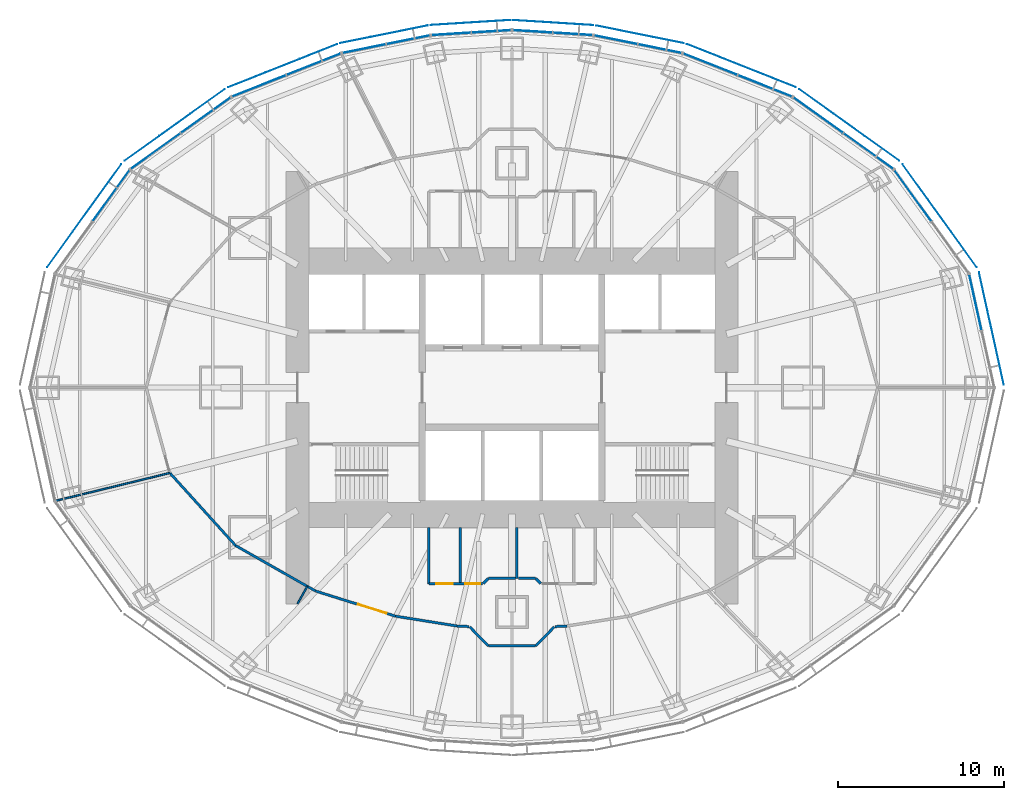
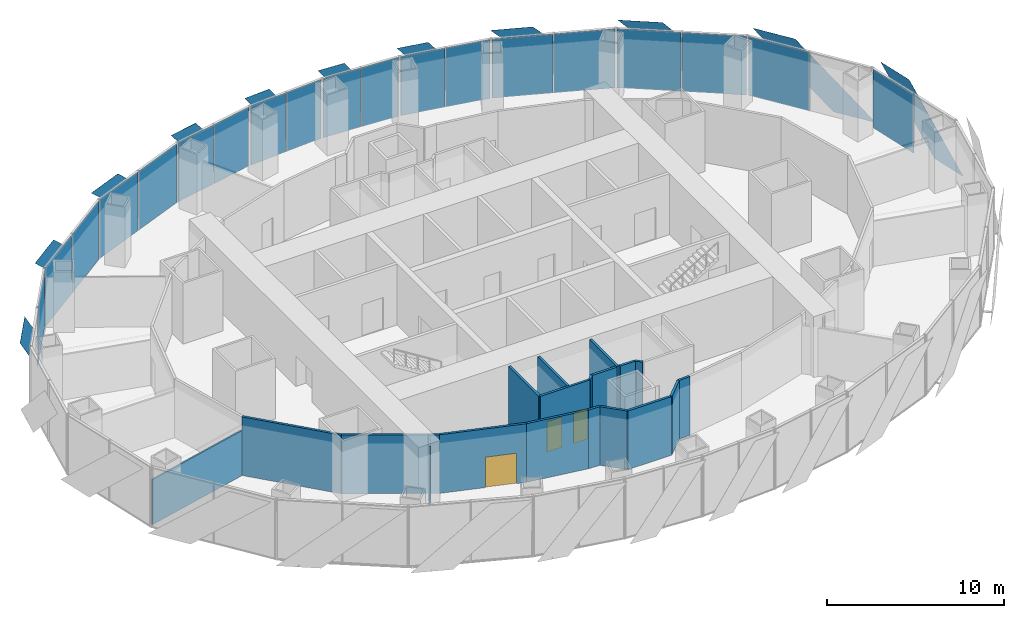
# One storey, part 10 of 17: 30 plates, 19 walls, 3 doors, 3 openings, 11 elements without a shape of their own.
"""IFC4 building model written with IfcOpenShell, lengths in metres."""

from ifc_helpers import new_model, si_unit, direction, frame, frame_2d, origin, origin_2d, place, context, subcontext, project, spatial, polyline, rectangle, outline, extrude, material, layer, layer_set, type_object, element, fill, aggregate, save


model = new_model("IFC4")

# Units and contexts
model_context = context("Model", 3, precision=1e-05, world=origin(), true_north=direction((0.0, 1.0)))
body_context = subcontext(model_context, "Body", "Model", "MODEL_VIEW")
ifc_project = project(units=[si_unit("LENGTHUNIT", "METRE"), si_unit("AREAUNIT", "SQUARE_METRE"), si_unit("VOLUMEUNIT", "CUBIC_METRE"), si_unit("PLANEANGLEUNIT", "RADIAN"), si_unit("MASSUNIT", "GRAM", prefix="KILO")], contexts=[model_context])

# Site, building, storey
site_placement = place(None, origin())
site = spatial("IfcSite", under=ifc_project, at=site_placement, CompositionType="ELEMENT")
building_placement = place(site_placement, origin())
building = spatial("IfcBuilding", under=site, at=building_placement, Name="Lantaw Convention Tower", CompositionType="ELEMENT")
storey_placement = place(building_placement, frame((0.0, 0.0, 125.800048828125)))
storey = spatial("IfcBuildingStorey", under=building, at=storey_placement, Name="L29", CompositionType="ELEMENT", Elevation=125.800048828125)

# Curtain wall, plate
ifc_material_1 = material(Name="Aluminium framed curtain wall", Category="aluminium")
curtain_wall_type = type_object("IfcCurtainWallType", Name="Office curtain wall low rise, pale aluminium", PredefinedType="USERDEFINED", material=ifc_material_1)
curtain_wall_1_placement = place(storey_placement, origin())
curtain_wall_1 = element("IfcCurtainWall", 1, at=curtain_wall_1_placement, inside=storey, type_object=curtain_wall_type, Name="Office curtain wall low rise, pale aluminium L29", ObjectType="UNITISED CURTAIN WALL", PredefinedType="USERDEFINED")
ifc_material_2 = material(Name="Clear insulating glass", Category="glass")
ifc_layer_1 = layer(ifc_material_2, 0.028076171875)
ifc_layer_set_1 = layer_set([ifc_layer_1], Name="CW-O1 panel 28")
plate_type_1 = type_object("IfcPlateType", Name="CW-O1 panel 28", PredefinedType="CURTAIN_PANEL", material=ifc_layer_set_1)
plate_1_placement = place(storey_placement, frame((27.868896484375, 5.1240234375, -0.0849609375), z_axis=(0.0, 0.0, 1.0), x_axis=(-0.215546166174, 0.9764936509, 0.0)))
plate_1 = element("IfcPlate", 2, at=plate_1_placement, type_object=plate_type_1, Name="CW-O1 panel 2.1", PredefinedType="CURTAIN_PANEL", context=body_context, shape_type="SweptSolid", body=[
    extrude(rectangle(XDim=3.41162109375, YDim=0.028076171875, at=origin_2d()), origin(), (0.0, 0.0, 1.0), 4.070068359375),
])
aggregate(curtain_wall_1, [plate_1])

curtain_wall_2_placement = place(storey_placement, origin())
curtain_wall_2 = element("IfcCurtainWall", 3, at=curtain_wall_2_placement, inside=storey, type_object=curtain_wall_type, Name="Office curtain wall low rise, pale aluminium L29", ObjectType="UNITISED CURTAIN WALL", PredefinedType="USERDEFINED")
plate_2_placement = place(storey_placement, frame((24.108154296875, 11.5439453125, -0.0849609375), z_axis=(0.0, 0.0, 1.0), x_axis=(-0.584512597221, 0.811384633629, 0.0)))
plate_2 = element("IfcPlate", 4, at=plate_2_placement, type_object=plate_type_1, Name="CW-O1 panel 2.1", PredefinedType="CURTAIN_PANEL", context=body_context, shape_type="SweptSolid", body=[
    extrude(rectangle(XDim=3.767333984375, YDim=0.028076171875, at=origin_2d()), origin(), (0.0, 0.0, 1.0), 4.070068359375),
])
aggregate(curtain_wall_2, [plate_2])

# Curtain wall, plates
curtain_wall_3_placement = place(storey_placement, origin())
curtain_wall_3 = element("IfcCurtainWall", 5, at=curtain_wall_3_placement, inside=storey, type_object=curtain_wall_type, Name="Office curtain wall low rise, pale aluminium L29", ObjectType="UNITISED CURTAIN WALL", PredefinedType="USERDEFINED")
plate_3_placement = place(storey_placement, frame((21.43408203125, 14.2236328125, -0.0849609375), z_axis=(0.0, 0.0, 1.0), x_axis=(-0.813208325995, 0.581972695693, 0.0)))
plate_3 = element("IfcPlate", 6, at=plate_3_placement, type_object=plate_type_1, Name="CW-O1 panel 1.1", PredefinedType="CURTAIN_PANEL", context=body_context, shape_type="SweptSolid", body=[
    extrude(rectangle(XDim=3.645263671875, YDim=0.028076171875, at=origin_2d()), origin(), (0.0, 0.0, 1.0), 4.070068359375),
])
plate_4_placement = place(storey_placement, frame((18.416748046875, 16.383056640625, -0.0849609375), z_axis=(0.0, 0.0, 1.0), x_axis=(-0.813208325995, 0.581972695693, 0.0)))
plate_4 = element("IfcPlate", 7, at=plate_4_placement, type_object=plate_type_1, Name="CW-O1 panel 2.1", PredefinedType="CURTAIN_PANEL", context=body_context, shape_type="SweptSolid", body=[
    extrude(rectangle(XDim=3.645263671875, YDim=0.028076171875, at=origin_2d()), origin(), (0.0, 0.0, 1.0), 4.070068359375),
])
aggregate(curtain_wall_3, [plate_3, plate_4])

curtain_wall_4_placement = place(storey_placement, origin())
curtain_wall_4 = element("IfcCurtainWall", 8, at=curtain_wall_4_placement, inside=storey, type_object=curtain_wall_type, Name="Office curtain wall low rise, pale aluminium L29", ObjectType="UNITISED CURTAIN WALL", PredefinedType="USERDEFINED")
plate_5_placement = place(storey_placement, frame((15.208251953125, 18.145263671875, -0.0849609375), z_axis=(0.0, 0.0, 1.0), x_axis=(-0.929547687544, 0.368701907483, 0.0)))
plate_5 = element("IfcPlate", 9, at=plate_5_placement, type_object=plate_type_1, Name="CW-O1 panel 1.1", PredefinedType="CURTAIN_PANEL", context=body_context, shape_type="SweptSolid", body=[
    extrude(rectangle(XDim=3.470703125, YDim=0.028076171875, at=origin_2d()), origin(), (0.0, 0.0, 1.0), 4.070068359375),
])
plate_6_placement = place(storey_placement, frame((11.921630859375, 19.448974609375, -0.0849609375), z_axis=(0.0, 0.0, 1.0), x_axis=(-0.929547687544, 0.368701907483, 0.0)))
plate_6 = element("IfcPlate", 10, at=plate_6_placement, type_object=plate_type_1, Name="CW-O1 panel 2.1", PredefinedType="CURTAIN_PANEL", context=body_context, shape_type="SweptSolid", body=[
    extrude(rectangle(XDim=3.470703125, YDim=0.028076171875, at=origin_2d()), origin(), (0.0, 0.0, 1.0), 4.070068359375),
])
aggregate(curtain_wall_4, [plate_5, plate_6])

curtain_wall_5_placement = place(storey_placement, origin())
curtain_wall_5 = element("IfcCurtainWall", 11, at=curtain_wall_5_placement, inside=storey, type_object=curtain_wall_type, Name="Office curtain wall low rise, pale aluminium L29", ObjectType="UNITISED CURTAIN WALL", PredefinedType="USERDEFINED")
plate_7_placement = place(storey_placement, frame((8.893310546875, 20.3857421875, -0.0849609375), z_axis=(0.0, 0.0, 1.0), x_axis=(-0.980301514912, 0.197506809659, 0.0)))
plate_7 = element("IfcPlate", 12, at=plate_7_placement, type_object=plate_type_1, Name="CW-O1 panel 1.1", PredefinedType="CURTAIN_PANEL", context=body_context, shape_type="SweptSolid", body=[
    extrude(rectangle(XDim=2.634033203125, YDim=0.028076171875, at=origin_2d()), origin(), (0.0, 0.0, 1.0), 4.070068359375),
])
plate_8_placement = place(storey_placement, frame((6.247314453125, 20.9189453125, -0.0849609375), z_axis=(0.0, 0.0, 1.0), x_axis=(-0.980301514912, 0.197506809659, 0.0)))
plate_8 = element("IfcPlate", 13, at=plate_8_placement, type_object=plate_type_1, Name="CW-O1 panel 2.1", PredefinedType="CURTAIN_PANEL", context=body_context, shape_type="SweptSolid", body=[
    extrude(rectangle(XDim=2.634033203125, YDim=0.028076171875, at=origin_2d()), origin(), (0.0, 0.0, 1.0), 4.070068359375),
])
aggregate(curtain_wall_5, [plate_7, plate_8])

curtain_wall_6_placement = place(storey_placement, origin())
curtain_wall_6 = element("IfcCurtainWall", 14, at=curtain_wall_6_placement, inside=storey, type_object=curtain_wall_type, Name="Office curtain wall low rise, pale aluminium L29", ObjectType="UNITISED CURTAIN WALL", PredefinedType="USERDEFINED")
plate_9_placement = place(storey_placement, frame((3.653076171875, 21.269775390625, -0.0849609375), z_axis=(0.0, 0.0, 1.0), x_axis=(-0.998022035978, 0.062865059466, 0.0)))
plate_9 = element("IfcPlate", 15, at=plate_9_placement, type_object=plate_type_1, Name="CW-O1 panel 1.1", PredefinedType="CURTAIN_PANEL", context=body_context, shape_type="SweptSolid", body=[
    extrude(rectangle(XDim=2.353515625, YDim=0.028076171875, at=origin_2d()), origin(), (0.0, 0.0, 1.0), 4.070068359375),
])
plate_10_placement = place(storey_placement, frame((1.2392578125, 21.421875, -0.0849609375), z_axis=(0.0, 0.0, 1.0), x_axis=(-0.998022035978, 0.062865059466, 0.0)))
plate_10 = element("IfcPlate", 16, at=plate_10_placement, type_object=plate_type_1, Name="CW-O1 panel 2.1", PredefinedType="CURTAIN_PANEL", context=body_context, shape_type="SweptSolid", body=[
    extrude(rectangle(XDim=2.353515625, YDim=0.028076171875, at=origin_2d()), origin(), (0.0, 0.0, 1.0), 4.070068359375),
])
aggregate(curtain_wall_6, [plate_9, plate_10])

curtain_wall_7_placement = place(storey_placement, origin())
curtain_wall_7 = element("IfcCurtainWall", 17, at=curtain_wall_7_placement, inside=storey, type_object=curtain_wall_type, Name="Office curtain wall low rise, pale aluminium L29", ObjectType="UNITISED CURTAIN WALL", PredefinedType="USERDEFINED")
plate_11_placement = place(storey_placement, frame((-1.2392578125, 21.421875, -0.0849609375), z_axis=(0.0, 0.0, 1.0), x_axis=(-0.998022035978, -0.062865059466, 0.0)))
plate_11 = element("IfcPlate", 18, at=plate_11_placement, type_object=plate_type_1, Name="CW-O1 panel 1.1", PredefinedType="CURTAIN_PANEL", context=body_context, shape_type="SweptSolid", body=[
    extrude(rectangle(XDim=2.353515625, YDim=0.028076171875, at=origin_2d()), origin(), (0.0, 0.0, 1.0), 4.070068359375),
])
plate_12_placement = place(storey_placement, frame((-3.653076171875, 21.269775390625, -0.0849609375), z_axis=(0.0, 0.0, 1.0), x_axis=(-0.998022035978, -0.062865059466, 0.0)))
plate_12 = element("IfcPlate", 19, at=plate_12_placement, type_object=plate_type_1, Name="CW-O1 panel 2.1", PredefinedType="CURTAIN_PANEL", context=body_context, shape_type="SweptSolid", body=[
    extrude(rectangle(XDim=2.353515625, YDim=0.028076171875, at=origin_2d()), origin(), (0.0, 0.0, 1.0), 4.070068359375),
])
aggregate(curtain_wall_7, [plate_11, plate_12])

curtain_wall_8_placement = place(storey_placement, origin())
curtain_wall_8 = element("IfcCurtainWall", 20, at=curtain_wall_8_placement, inside=storey, type_object=curtain_wall_type, Name="Office curtain wall low rise, pale aluminium L29", ObjectType="UNITISED CURTAIN WALL", PredefinedType="USERDEFINED")
plate_13_placement = place(storey_placement, frame((-6.247314453125, 20.9189453125, -0.0849609375), z_axis=(0.0, 0.0, 1.0), x_axis=(-0.980301514912, -0.197506809659, 0.0)))
plate_13 = element("IfcPlate", 21, at=plate_13_placement, type_object=plate_type_1, Name="CW-O1 panel 1.1", PredefinedType="CURTAIN_PANEL", context=body_context, shape_type="SweptSolid", body=[
    extrude(rectangle(XDim=2.634033203125, YDim=0.028076171875, at=origin_2d()), origin(), (0.0, 0.0, 1.0), 4.070068359375),
])
plate_14_placement = place(storey_placement, frame((-8.893310546875, 20.3857421875, -0.0849609375), z_axis=(0.0, 0.0, 1.0), x_axis=(-0.980301514912, -0.197506809659, 0.0)))
plate_14 = element("IfcPlate", 22, at=plate_14_placement, type_object=plate_type_1, Name="CW-O1 panel 2.1", PredefinedType="CURTAIN_PANEL", context=body_context, shape_type="SweptSolid", body=[
    extrude(rectangle(XDim=2.634033203125, YDim=0.028076171875, at=origin_2d()), origin(), (0.0, 0.0, 1.0), 4.070068359375),
])
aggregate(curtain_wall_8, [plate_13, plate_14])

curtain_wall_9_placement = place(storey_placement, origin())
curtain_wall_9 = element("IfcCurtainWall", 23, at=curtain_wall_9_placement, inside=storey, type_object=curtain_wall_type, Name="Office curtain wall low rise, pale aluminium L29", ObjectType="UNITISED CURTAIN WALL", PredefinedType="USERDEFINED")
plate_15_placement = place(storey_placement, frame((-11.921630859375, 19.448974609375, -0.0849609375), z_axis=(0.0, 0.0, 1.0), x_axis=(-0.929547687544, -0.368701907483, 0.0)))
plate_15 = element("IfcPlate", 24, at=plate_15_placement, type_object=plate_type_1, Name="CW-O1 panel 1.1", PredefinedType="CURTAIN_PANEL", context=body_context, shape_type="SweptSolid", body=[
    extrude(rectangle(XDim=3.470703125, YDim=0.028076171875, at=origin_2d()), origin(), (0.0, 0.0, 1.0), 4.070068359375),
])
plate_16_placement = place(storey_placement, frame((-15.208251953125, 18.145263671875, -0.0849609375), z_axis=(0.0, 0.0, 1.0), x_axis=(-0.929547687544, -0.368701907483, 0.0)))
plate_16 = element("IfcPlate", 25, at=plate_16_placement, type_object=plate_type_1, Name="CW-O1 panel 2.1", PredefinedType="CURTAIN_PANEL", context=body_context, shape_type="SweptSolid", body=[
    extrude(rectangle(XDim=3.470703125, YDim=0.028076171875, at=origin_2d()), origin(), (0.0, 0.0, 1.0), 4.070068359375),
])
aggregate(curtain_wall_9, [plate_15, plate_16])

curtain_wall_10_placement = place(storey_placement, origin())
curtain_wall_10 = element("IfcCurtainWall", 26, at=curtain_wall_10_placement, inside=storey, type_object=curtain_wall_type, Name="Office curtain wall low rise, pale aluminium L29", ObjectType="UNITISED CURTAIN WALL", PredefinedType="USERDEFINED")
plate_17_placement = place(storey_placement, frame((-18.416748046875, 16.383056640625, -0.0849609375), z_axis=(0.0, 0.0, 1.0), x_axis=(-0.813208325995, -0.581972695693, 0.0)))
plate_17 = element("IfcPlate", 27, at=plate_17_placement, type_object=plate_type_1, Name="CW-O1 panel 1.1", PredefinedType="CURTAIN_PANEL", context=body_context, shape_type="SweptSolid", body=[
    extrude(rectangle(XDim=3.645263671875, YDim=0.028076171875, at=origin_2d()), origin(), (0.0, 0.0, 1.0), 4.070068359375),
])
plate_18_placement = place(storey_placement, frame((-21.43408203125, 14.2236328125, -0.0849609375), z_axis=(0.0, 0.0, 1.0), x_axis=(-0.813208325995, -0.581972695693, 0.0)))
plate_18 = element("IfcPlate", 28, at=plate_18_placement, type_object=plate_type_1, Name="CW-O1 panel 2.1", PredefinedType="CURTAIN_PANEL", context=body_context, shape_type="SweptSolid", body=[
    extrude(rectangle(XDim=3.645263671875, YDim=0.028076171875, at=origin_2d()), origin(), (0.0, 0.0, 1.0), 4.070068359375),
])
aggregate(curtain_wall_10, [plate_17, plate_18])

# Curtain wall, plate
curtain_wall_11_placement = place(storey_placement, origin())
curtain_wall_11 = element("IfcCurtainWall", 29, at=curtain_wall_11_placement, inside=storey, type_object=curtain_wall_type, Name="Office curtain wall low rise, pale aluminium L29", ObjectType="UNITISED CURTAIN WALL", PredefinedType="USERDEFINED")
plate_19_placement = place(storey_placement, frame((-24.108154296875, 11.5439453125, -0.0849609375), z_axis=(0.0, 0.0, 1.0), x_axis=(-0.584512597221, -0.811384633629, 0.0)))
plate_19 = element("IfcPlate", 30, at=plate_19_placement, type_object=plate_type_1, Name="CW-O1 panel 1.1", PredefinedType="CURTAIN_PANEL", context=body_context, shape_type="SweptSolid", body=[
    extrude(rectangle(XDim=3.767333984375, YDim=0.028076171875, at=origin_2d()), origin(), (0.0, 0.0, 1.0), 4.070068359375),
])
aggregate(curtain_wall_11, [plate_19])

# Plates
ifc_material_3 = material(Name="Perforated aluminium sheet, pale silver finish", Category="aluminium")
ifc_layer_2 = layer(ifc_material_3, 0.006103515625)
ifc_layer_set_2 = layer_set([ifc_layer_2], Name="Perforated aluminium solar SCREEN panel")
plate_type_2 = type_object("IfcPlateType", Name="Perforated aluminium solar SCREEN panel", PredefinedType="SHEET", material=ifc_layer_set_2)
plate_20_placement = place(storey_placement, frame((29.5810546875, 0.179443359375, -0.175048828125), z_axis=(0.976497812463, 0.215527309509, 3.332717e-05), x_axis=(-0.215527309629, 0.976497813005, 1.665e-09)))
element("IfcPlate", 31, at=plate_20_placement, inside=storey, type_object=plate_type_2, Name="Solar SCREEN panel", PredefinedType="SHEET", context=body_context, shape_type="SweptSolid", body=[
    extrude(outline(polyline([(0.0, 0.0), (2.3861843673609986, 3.3881317890172014e-21), (6.918240190546627, 4.340087881517419), (4.532108442157707, 4.340087889462621), (0.0, 0.0)])), origin(), (0.0, 0.0, -1.0), 0.006103515625),
])
plate_21_placement = place(storey_placement, frame((27.94970703125, 7.248046875, -0.175048828125), z_axis=(0.81139512159, 0.584498037099, 3.5886784e-05), x_axis=(-0.584498037475, 0.811395122112, -9.74e-10)))
element("IfcPlate", 32, at=plate_21_placement, inside=storey, type_object=plate_type_2, Name="Solar SCREEN panel", PredefinedType="SHEET", context=body_context, shape_type="SweptSolid", body=[
    extrude(outline(polyline([(0.0, 0.0), (2.628222178575422, -6.776263578034403e-21), (7.629778257969264, 4.340087900852944), (5.001754173906077, 4.340087895732103), (0.0, 0.0)])), origin(), (0.0, 0.0, -1.0), 0.006103515625),
])
plate_22_placement = place(storey_placement, frame((23.281005859375, 13.64697265625, -0.175048828125), z_axis=(0.582000183937, 0.813188653244, 1.1537145e-05), x_axis=(-0.813188653298, 0.582000183975, 0.0)))
element("IfcPlate", 33, at=plate_22_placement, inside=storey, type_object=plate_type_2, Name="Solar SCREEN panel", PredefinedType="SHEET", context=body_context, shape_type="SweptSolid", body=[
    extrude(outline(polyline([(0.0, 0.0), (2.5450183911586484, 0.0), (7.385531276904658, 4.340087890913846), (4.840512885746009, 4.340087890913846), (0.0, 0.0)])), origin(), (0.0, 0.0, -1.0), 0.006103515625),
])
plate_23_placement = place(storey_placement, frame((17.05859375, 18.063232421875, -0.175048828125), z_axis=(-0.368708915367, -0.929544907797, 1.086705e-05), x_axis=(-0.929544907851, 0.368708915389, 7.1e-10)))
element("IfcPlate", 34, at=plate_23_placement, inside=storey, type_object=plate_type_2, Name="Solar SCREEN panel", PredefinedType="SHEET", context=body_context, shape_type="SweptSolid", body=[
    extrude(outline(polyline([(0.0, 0.0), (2.4263803793049097, -1.6940658945086007e-21), (7.036549629566982, -4.340087885886879), (4.61003232741235, -4.340087889331358), (0.0, 0.0)])), origin(), (0.0, 0.0, -1.0), 0.006103515625),
])
plate_24_placement = place(storey_placement, frame((10.318603515625, 20.716796875, -0.175048828125), z_axis=(0.197556725442, 0.980291455983, 3.9483498e-05), x_axis=(-0.980291456747, 0.197556725596, 0.0)))
element("IfcPlate", 35, at=plate_24_placement, inside=storey, type_object=plate_type_2, Name="Solar SCREEN panel", PredefinedType="SHEET", context=body_context, shape_type="SweptSolid", body=[
    extrude(outline(polyline([(0.0, 0.0), (1.8574075788555457, 3.3881317890172014e-21), (5.362987026845185, 4.340087894007983), (3.505579447989639, 4.340087894007983), (0.0, 0.0)])), origin(), (0.0, 0.0, -1.0), 0.006103515625),
])
plate_25_placement = place(storey_placement, frame((4.880615234375, 21.7998046875, -0.175048828125), z_axis=(0.062838799866, 0.998023689713, 1.755059e-06), x_axis=(-0.998023689715, 0.062838799866, -8e-12)))
element("IfcPlate", 36, at=plate_25_placement, inside=storey, type_object=plate_type_2, Name="Solar SCREEN panel", PredefinedType="SHEET", context=body_context, shape_type="SweptSolid", body=[
    extrude(outline(polyline([(0.0, 0.0), (1.6666243269452135, 2.6469779601696886e-23), (4.802214797186689, 4.340087890670476), (3.135346812114104, 4.340087890643548), (0.0, 0.0)])), origin(), (0.0, 0.0, -1.0), 0.006103515625),
])
plate_26_placement = place(storey_placement, frame((-0.087890625, 22.1015625, -0.175048828125), z_axis=(0.062838799866, -0.998023689713, 1.755059e-06), x_axis=(-0.998023689715, -0.062838799866, 8e-12)))
element("IfcPlate", 37, at=plate_26_placement, inside=storey, type_object=plate_type_2, Name="Solar SCREEN panel", PredefinedType="SHEET", context=body_context, shape_type="SweptSolid", body=[
    extrude(outline(polyline([(0.0, 0.0), (1.6668679850725854, -5.293955920339377e-23), (4.802214797256801, -4.340087890592899), (3.1355904703115876, -4.340087890619822), (0.0, 0.0)])), origin(), (0.0, 0.0, -1.0), 0.006103515625),
])
plate_27_placement = place(storey_placement, frame((-5.061279296875, 21.776123046875, -0.175048828125), z_axis=(0.197556725442, -0.980291455983, 3.9483498e-05), x_axis=(-0.980291456747, -0.197556725596, 0.0)))
element("IfcPlate", 38, at=plate_27_placement, inside=storey, type_object=plate_type_2, Name="Solar SCREEN panel", PredefinedType="SHEET", context=body_context, shape_type="SweptSolid", body=[
    extrude(outline(polyline([(0.0, 0.0), (1.8574075788555457, -3.3881317890172014e-21), (5.362987026845185, -4.340087894007983), (3.505579447989639, -4.340087894007983), (0.0, 0.0)])), origin(), (0.0, 0.0, -1.0), 0.006103515625),
])
plate_28_placement = place(storey_placement, frame((-10.517822265625, 20.65771484375, -0.175048828125), z_axis=(-0.368708915367, 0.929544907797, 1.086705e-05), x_axis=(-0.929544907851, -0.368708915389, -7.1e-10)))
element("IfcPlate", 39, at=plate_28_placement, inside=storey, type_object=plate_type_2, Name="Solar SCREEN panel", PredefinedType="SHEET", context=body_context, shape_type="SweptSolid", body=[
    extrude(outline(polyline([(0.0, 0.0), (2.426517302154632, -1.6940658945086007e-21), (7.036549623406159, 4.340087895875372), (4.610169244101249, 4.340087892431086), (0.0, 0.0)])), origin(), (0.0, 0.0, -1.0), 0.006103515625),
])
plate_29_placement = place(storey_placement, frame((-17.275146484375, 17.9453125, -0.175048828125), z_axis=(0.582000183937, -0.813188653244, 1.1537145e-05), x_axis=(-0.813188653298, -0.582000183975, 0.0)))
element("IfcPlate", 40, at=plate_29_placement, inside=storey, type_object=plate_type_2, Name="Solar SCREEN panel", PredefinedType="SHEET", context=body_context, shape_type="SweptSolid", body=[
    extrude(outline(polyline([(0.0, 0.0), (2.5450183911586484, 0.0), (7.385531276904658, -4.340087890913846), (4.840512885746009, -4.340087890913846), (0.0, 0.0)])), origin(), (0.0, 0.0, -1.0), 0.006103515625),
])
plate_30_placement = place(storey_placement, frame((-23.489990234375, 13.438720703125, -0.175048828125), z_axis=(0.81139512159, -0.584498037099, 3.5886784e-05), x_axis=(-0.584498037475, -0.811395122112, 9.74e-10)))
element("IfcPlate", 41, at=plate_30_placement, inside=storey, type_object=plate_type_2, Name="Solar SCREEN panel", PredefinedType="SHEET", context=body_context, shape_type="SweptSolid", body=[
    extrude(outline(polyline([(0.0, 0.0), (2.6280240840631874, -6.776263578034403e-21), (7.6297782664261495, -4.340087885985926), (5.0015560878507275, -4.340087891107152), (0.0, 0.0)])), origin(), (0.0, 0.0, -1.0), 0.006103515625),
])

# Walls
ifc_material_4 = material(Name="Gypsum board on steel studs, fire rated", Category="steel")
ifc_layer_3 = layer(ifc_material_4, 0.14990234375)
ifc_layer_set_3 = layer_set([ifc_layer_3], Name="Corridor wall 150 EI 60")
wall_type_1 = type_object("IfcWallType", Name="Corridor wall 150 EI 60", PredefinedType="PARTITIONING", material=ifc_layer_set_3)
wall_1_placement = place(storey_placement, frame((-20.576904296875, -5.13037109375, 0.0), z_axis=(0.0, 0.0, 1.0), x_axis=(0.671118353743, -0.741350224435, 0.0)))
element("IfcWall", 42, at=wall_1_placement, inside=storey, type_object=wall_type_1, Name="Corridor wall 150", PredefinedType="PARTITIONING", context=body_context, shape_type="SweptSolid", body=[
    extrude(rectangle(XDim=5.89208984375, YDim=0.14990234375, at=frame_2d((2.946044921875, 0.0))), origin(), (0.0, 0.0, 1.0), 4.050048828125),
])
wall_2_placement = place(storey_placement, frame((-16.62255859375, -9.49853515625, 0.0), z_axis=(0.0, 0.0, 1.0), x_axis=(0.869375991036, -0.494151177485, 0.0)))
element("IfcWall", 43, at=wall_2_placement, inside=storey, type_object=wall_type_1, Name="Corridor wall 150", PredefinedType="PARTITIONING", context=body_context, shape_type="SweptSolid", body=[
    extrude(rectangle(XDim=5.532470703125, YDim=0.14990234375, at=frame_2d((2.76611328125, 0.0))), origin(), (0.0, 0.0, 1.0), 4.050048828125),
])

# Wall, opening, door
wall_3_placement = place(storey_placement, frame((-11.812744140625, -12.232421875, 0.0), z_axis=(0.0, 0.0, 1.0), x_axis=(0.953893934057, -0.300143903101, 0.0)))
wall_3 = element("IfcWall", 44, at=wall_3_placement, inside=storey, type_object=wall_type_1, Name="Corridor wall 150", PredefinedType="PARTITIONING", context=body_context, shape_type="SweptSolid", body=[
    extrude(rectangle(XDim=5.04150390625, YDim=0.14990234375, at=frame_2d((2.520751953125, 0.0))), origin(), (0.0, 0.0, 1.0), 4.050048828125),
])
opening_1_placement = place(wall_3_placement, frame((2.671142578125, 0.0, 0.0)))
opening_1 = element("IfcOpeningElement", 45, at=opening_1_placement, cuts=wall_3, Name="Opening L29.27", PredefinedType="OPENING", context=body_context, shape_type="SweptSolid", body=[
    extrude(rectangle(XDim=1.800048828125, YDim=2.10009765625, at=frame_2d((0.89990234375, 1.050048828125))), frame((0.0, 0.0849609375, 0.0), z_axis=(0.0, -1.0, 0.0), x_axis=(1.0, 0.0, 0.0)), (0.0, 0.0, 1.0), 0.169921875),
])
ifc_material_5 = material(Name="Steel, fire rated", Category="steel")
door_type_1 = type_object("IfcDoorType", Name="Office double door 1800 FD30", OperationType="DOUBLE_DOOR_DOUBLE_SWING", PredefinedType="DOOR", material=ifc_material_5)
door_1_placement = place(opening_1_placement, origin())
door_1 = element("IfcDoor", 46, at=door_1_placement, inside=storey, type_object=door_type_1, Name="Contact-centre floor door", OperationType="DOUBLE_DOOR_DOUBLE_SWING", OverallHeight=2.10009765625, OverallWidth=1.800048828125, PredefinedType="DOOR", context=body_context, shape_type="SweptSolid", body=[
    extrude(rectangle(XDim=1.800048828125, YDim=2.10009765625, at=frame_2d((0.89990234375, 1.050048828125))), frame((0.0, 0.02490234375, 0.0), z_axis=(0.0, -1.0, 0.0), x_axis=(1.0, 0.0, 0.0)), (0.0, 0.0, 1.0), 0.050048828125),
])
fill(opening_1, door_1)

# Walls
wall_4_placement = place(storey_placement, frame((-7.003662109375, -13.74560546875, 0.0), z_axis=(0.0, 0.0, 1.0), x_axis=(0.987511396594, -0.157547585181, 0.0)))
element("IfcWall", 47, at=wall_4_placement, inside=storey, type_object=wall_type_1, Name="Corridor wall 150", PredefinedType="PARTITIONING", context=body_context, shape_type="SweptSolid", body=[
    extrude(rectangle(XDim=3.74072265625, YDim=0.14990234375, at=frame_2d((1.870361328125, 0.0))), origin(), (0.0, 0.0, 1.0), 4.050048828125),
])
for number, where, z_axis, x_axis, name in (
    (48, (-3.3095703125, -14.3349609375, 0.0), (0.0, 0.0, 1.0), (0.998758954215, -0.04980513402, 0.0), "Corridor wall 150"),
    (49, (2.5751953125, -14.37158203125, 0.0), (0.0, 0.0, 1.0), (0.998758954215, 0.04980513402, 0.0), "Corridor wall 150"),
):
    element("IfcWall", number, at=place(storey_placement, frame(where, z_axis=z_axis, x_axis=x_axis)), inside=storey, type_object=wall_type_1, Name=name, PredefinedType="PARTITIONING", context=body_context, shape_type="SweptSolid", body=[
        extrude(rectangle(XDim=0.7353515625, YDim=0.14990234375, at=frame_2d((0.36767578125, 0.0))), origin(), (0.0, 0.0, 1.0), 4.050048828125),
    ])
wall_5_placement = place(storey_placement, frame((2.5458984375, -14.38671875, 0.0), z_axis=(0.0, 0.0, 1.0), x_axis=(-0.701815492047, -0.712358768545, 0.0)))
element("IfcWall", 50, at=wall_5_placement, inside=storey, type_object=wall_type_1, Name="Corridor wall 150", PredefinedType="PARTITIONING", context=body_context, shape_type="SweptSolid", body=[
    extrude(rectangle(XDim=1.59765625, YDim=0.14990234375, at=frame_2d((0.798828125, 0.0))), origin(), (0.0, 0.0, 1.0), 4.050048828125),
])
wall_6_placement = place(storey_placement, frame((1.424560546875, -15.52490234375, 0.0), z_axis=(0.0, 0.0, 1.0), x_axis=(-1.0, 0.0, 0.0)))
element("IfcWall", 51, at=wall_6_placement, inside=storey, type_object=wall_type_1, Name="Corridor wall 150", PredefinedType="PARTITIONING", context=body_context, shape_type="SweptSolid", body=[
    extrude(rectangle(XDim=2.84912109375, YDim=0.14990234375, at=frame_2d((1.424560546875, 0.0))), origin(), (0.0, 0.0, 1.0), 4.050048828125),
])
wall_7_placement = place(storey_placement, frame((-1.424560546875, -15.52490234375, 0.0), z_axis=(0.0, 0.0, 1.0), x_axis=(-0.701815492047, 0.712358768545, 0.0)))
element("IfcWall", 52, at=wall_7_placement, inside=storey, type_object=wall_type_1, Name="Corridor wall 150", PredefinedType="PARTITIONING", context=body_context, shape_type="SweptSolid", body=[
    extrude(rectangle(XDim=1.59765625, YDim=0.14990234375, at=frame_2d((0.798828125, 0.0))), origin(), (0.0, 0.0, 1.0), 4.050048828125),
])
ifc_material_6 = material(Name="Gypsum board on steel studs, acoustic", Category="steel")
ifc_layer_4 = layer(ifc_material_6, 0.10009765625)
ifc_layer_set_4 = layer_set([ifc_layer_4], Name="Office partition 100")
wall_type_2 = type_object("IfcWallType", Name="Office partition 100", PredefinedType="PARTITIONING", material=ifc_layer_set_4)
wall_8_placement = place(storey_placement, frame((-27.440673828125, -6.808837890625, 0.0), z_axis=(0.0, 0.0, 1.0), x_axis=(0.971377572955, 0.237540755996, 0.0)))
element("IfcWall", 53, at=wall_8_placement, inside=storey, type_object=wall_type_2, Name="Office partition 100", PredefinedType="PARTITIONING", context=body_context, shape_type="SweptSolid", body=[
    extrude(rectangle(XDim=7.06591796875, YDim=0.10009765625, at=frame_2d((3.532958984375, 0.0))), origin(), (0.0, 0.0, 1.0), 3.11279296875),
])
wall_9_placement = place(storey_placement, frame((-12.89990234375, -13.0, 0.0), z_axis=(0.0, 0.0, 1.0), x_axis=(0.494173075358, 0.869363543974, 0.0)))
element("IfcWall", 54, at=wall_9_placement, inside=storey, type_object=wall_type_2, Name="Office partition 100", PredefinedType="PARTITIONING", context=body_context, shape_type="SweptSolid", body=[
    extrude(rectangle(XDim=1.204345703125, YDim=0.10009765625, at=frame_2d((0.60205078125, 0.0))), origin(), (0.0, 0.0, 1.0), 4.050048828125),
])
ifc_material_7 = material(Name="Concrete blockwork", Category="masonry")
ifc_layer_5 = layer(ifc_material_7, 0.14990234375)
ifc_layer_set_5 = layer_set([ifc_layer_5], Name="WC wall 150")
wall_type_3 = type_object("IfcWallType", Name="WC wall 150", PredefinedType="SOLIDWALL", material=ifc_layer_set_5)
for number, where, z_axis, x_axis, name in (
    (55, (-5.0, -8.39990234375, 0.0), (0.0, 0.0, 1.0), (0.0, -1.0, 0.0), "WC wall 150"),
    (56, (-3.10009765625, -8.39990234375, 0.0), (0.0, 0.0, 1.0), (0.0, -1.0, 0.0), "WC wall 150"),
):
    element("IfcWall", number, at=place(storey_placement, frame(where, z_axis=z_axis, x_axis=x_axis)), inside=storey, type_object=wall_type_3, Name=name, PredefinedType="SOLIDWALL", context=body_context, shape_type="SweptSolid", body=[
        extrude(rectangle(XDim=3.400146484375, YDim=0.14990234375, at=frame_2d((1.7001953125, 0.0))), origin(), (0.0, 0.0, 1.0), 4.050048828125),
    ])

# Wall, openings, doors
wall_10_placement = place(storey_placement, frame((-5.0, -11.800048828125, 0.0), z_axis=(0.0, 0.0, 1.0), x_axis=(1.0, 0.0, 0.0)))
wall_10 = element("IfcWall", 57, at=wall_10_placement, inside=storey, type_object=wall_type_3, Name="WC wall 150", PredefinedType="SOLIDWALL", context=body_context, shape_type="SweptSolid", body=[
    extrude(rectangle(XDim=3.236328125, YDim=0.14990234375, at=frame_2d((1.6181640625, 0.0))), origin(), (0.0, 0.0, 1.0), 4.050048828125),
])
opening_2_placement = place(wall_10_placement, frame((0.449951171875, 0.0, 0.0)))
opening_2 = element("IfcOpeningElement", 58, at=opening_2_placement, cuts=wall_10, Name="Opening L29.18", PredefinedType="OPENING", context=body_context, shape_type="SweptSolid", body=[
    extrude(rectangle(XDim=1.0, YDim=2.10009765625, at=frame_2d((0.5, 1.050048828125))), frame((0.0, 0.0849609375, 0.0), z_axis=(0.0, -1.0, 0.0), x_axis=(1.0, 0.0, 0.0)), (0.0, 0.0, 1.0), 0.169921875),
])
opening_3_placement = place(wall_10_placement, frame((2.199951171875, 0.0, 0.0)))
opening_3 = element("IfcOpeningElement", 59, at=opening_3_placement, cuts=wall_10, Name="Opening L29.19", PredefinedType="OPENING", context=body_context, shape_type="SweptSolid", body=[
    extrude(rectangle(XDim=0.89990234375, YDim=2.10009765625, at=frame_2d((0.449951171875, 1.050048828125))), frame((0.0, 0.0849609375, 0.0), z_axis=(0.0, -1.0, 0.0), x_axis=(1.0, 0.0, 0.0)), (0.0, 0.0, 1.0), 0.169921875),
])
ifc_material_8 = material(Name="Timber", Category="wood")
door_type_2 = type_object("IfcDoorType", Name="Accessible WC door 1000", OperationType="SINGLE_SWING_LEFT", PredefinedType="DOOR", material=ifc_material_8)
door_2_placement = place(opening_2_placement, origin())
door_2 = element("IfcDoor", 60, at=door_2_placement, inside=storey, type_object=door_type_2, Name="Accessible WC door", OperationType="SINGLE_SWING_LEFT", OverallHeight=2.10009765625, OverallWidth=1.0, PredefinedType="DOOR", context=body_context, shape_type="SweptSolid", body=[
    extrude(rectangle(XDim=1.0, YDim=2.10009765625, at=frame_2d((0.5, 1.050048828125))), frame((0.0, 0.02490234375, 0.0), z_axis=(0.0, -1.0, 0.0), x_axis=(1.0, 0.0, 0.0)), (0.0, 0.0, 1.0), 0.050048828125),
])
fill(opening_2, door_2)
door_type_3 = type_object("IfcDoorType", Name="WC door 900", OperationType="SINGLE_SWING_LEFT", PredefinedType="DOOR", material=ifc_material_8)
door_3_placement = place(opening_3_placement, origin())
door_3 = element("IfcDoor", 61, at=door_3_placement, inside=storey, type_object=door_type_3, Name="Male WC door", OperationType="SINGLE_SWING_LEFT", OverallHeight=2.10009765625, OverallWidth=0.89990234375, PredefinedType="DOOR", context=body_context, shape_type="SweptSolid", body=[
    extrude(rectangle(XDim=0.89990234375, YDim=2.10009765625, at=frame_2d((0.449951171875, 1.050048828125))), frame((0.0, 0.02490234375, 0.0), z_axis=(0.0, -1.0, 0.0), x_axis=(1.0, 0.0, 0.0)), (0.0, 0.0, 1.0), 0.050048828125),
])
fill(opening_3, door_3)

# Walls
wall_11_placement = place(storey_placement, frame((0.300048828125, -8.39990234375, 0.0), z_axis=(0.0, 0.0, 1.0), x_axis=(0.0, -1.0, 0.0)))
element("IfcWall", 62, at=wall_11_placement, inside=storey, type_object=wall_type_3, Name="WC wall 150", PredefinedType="SOLIDWALL", context=body_context, shape_type="SweptSolid", body=[
    extrude(rectangle(XDim=3.065185546875, YDim=0.14990234375, at=frame_2d((1.53271484375, 0.0))), origin(), (0.0, 0.0, 1.0), 4.050048828125),
])
wall_12_placement = place(storey_placement, frame((-1.733642578125, -11.7841796875, 0.0), z_axis=(0.0, 0.0, 1.0), x_axis=(0.707106781187, 0.707106781187, 0.0)))
element("IfcWall", 63, at=wall_12_placement, inside=storey, type_object=wall_type_3, Name="WC wall 150", PredefinedType="SOLIDWALL", context=body_context, shape_type="SweptSolid", body=[
    extrude(rectangle(XDim=0.43701171875, YDim=0.14990234375, at=frame_2d((0.218505859375, 0.0))), origin(), (0.0, 0.0, 1.0), 4.050048828125),
])
wall_13_placement = place(storey_placement, frame((-1.424560546875, -11.47509765625, 0.0), z_axis=(0.0, 0.0, 1.0), x_axis=(1.0, 0.0, 0.0)))
element("IfcWall", 64, at=wall_13_placement, inside=storey, type_object=wall_type_3, Name="WC wall 150", PredefinedType="SOLIDWALL", context=body_context, shape_type="SweptSolid", body=[
    extrude(rectangle(XDim=1.621337890625, YDim=0.14990234375, at=frame_2d((0.810546875, 0.0))), origin(), (0.0, 0.0, 1.0), 4.050048828125),
])
wall_14_placement = place(storey_placement, frame((0.4033203125, -11.47509765625, 0.0), z_axis=(0.0, 0.0, 1.0), x_axis=(1.0, 0.0, 0.0)))
element("IfcWall", 65, at=wall_14_placement, inside=storey, type_object=wall_type_3, Name="WC wall 150", PredefinedType="SOLIDWALL", context=body_context, shape_type="SweptSolid", body=[
    extrude(rectangle(XDim=1.021240234375, YDim=0.14990234375, at=frame_2d((0.5107421875, 0.0))), origin(), (0.0, 0.0, 1.0), 4.050048828125),
])
wall_15_placement = place(storey_placement, frame((1.424560546875, -11.47509765625, 0.0), z_axis=(0.0, 0.0, 1.0), x_axis=(0.707106781187, -0.707106781187, 0.0)))
element("IfcWall", 66, at=wall_15_placement, inside=storey, type_object=wall_type_3, Name="WC wall 150", PredefinedType="SOLIDWALL", context=body_context, shape_type="SweptSolid", body=[
    extrude(rectangle(XDim=0.43701171875, YDim=0.14990234375, at=frame_2d((0.218505859375, 0.0))), origin(), (0.0, 0.0, 1.0), 4.050048828125),
])

save(model, "model.ifc")
